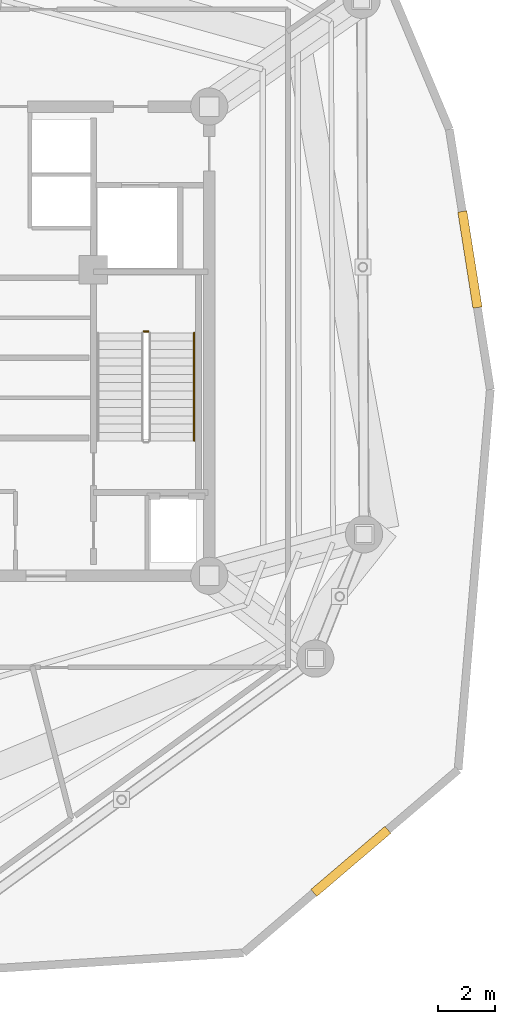
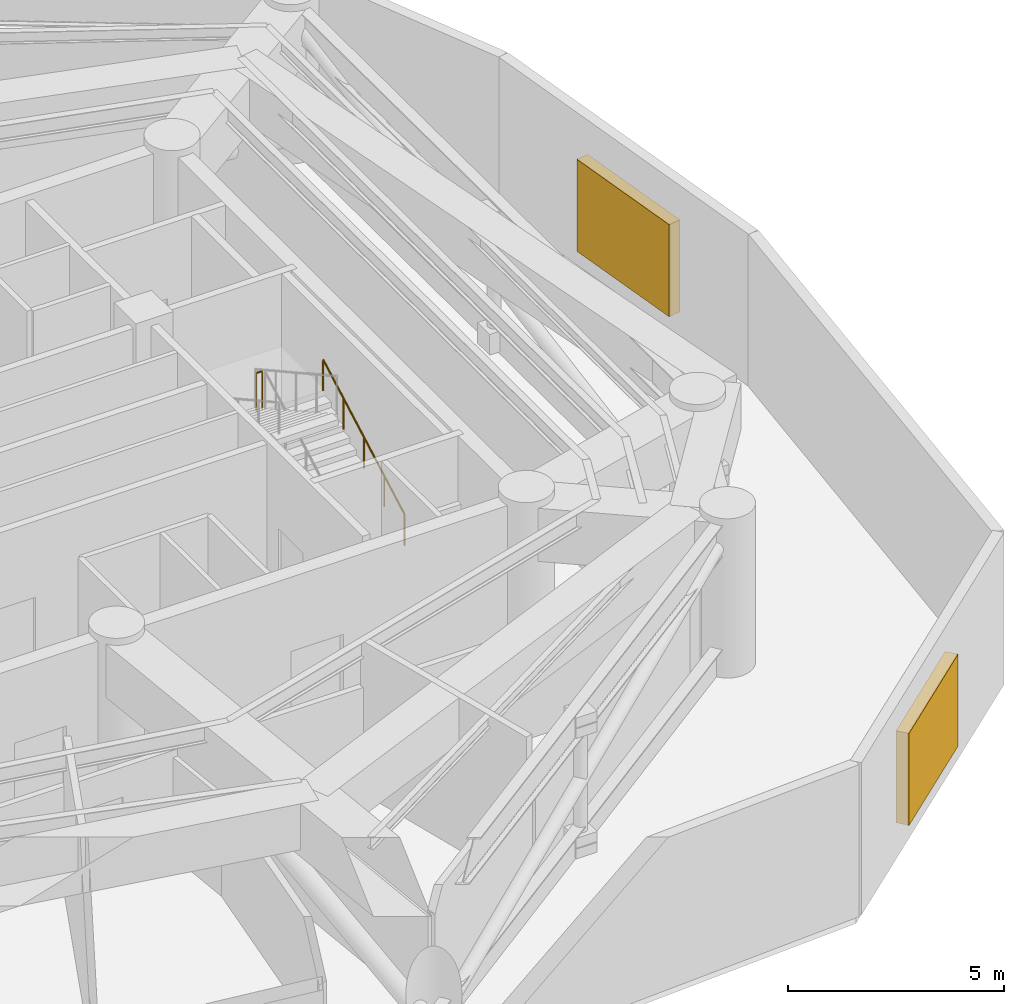
# One storey, part 10 of 11: 2 railings, 2 shading devices.
"""IFC4 building model written with IfcOpenShell, lengths in metres."""

import ifcopenshell
import ifcopenshell.guid

model = None  # the IFC model being written
_history = None  # IfcOwnerHistory: only IFC2X3 demands one
_inside = {}  # id of a spatial element -> (the spatial element, [elements in it])
_under = {}  # id of a project, library or spatial element -> (it, [spatial elements below it])
_declared = {}  # id of a project -> (the project, [libraries it declares])
_typed = {}  # id of a type object -> (the type object, [elements of that type])
_made_of = {}  # id of a material, layer set ... -> (it, [elements and type objects made of it])


def new_model(schema):
    """Start an empty IFC model of exactly this schema.

    Asked for "IFC4X3", IfcOpenShell would pick the latest addendum, in which some entities
    have other attributes; the version numbers below select the first issue.
    IFC2X3 requires an IfcOwnerHistory on every rooted entity: one is made here for all.
    """
    global model, _history
    if schema == "IFC4X3":
        model = ifcopenshell.file(schema_version=(4, 3, 0, 0))
    else:
        model = ifcopenshell.file(schema=schema)
    _inside.clear()
    _under.clear()
    _declared.clear()
    _typed.clear()
    _made_of.clear()
    _history = None
    if model.schema == "IFC2X3":
        org = make("IfcOrganization", Name="unknown")
        user = make(
            "IfcPersonAndOrganization",
            ThePerson=make("IfcPerson", FamilyName="unknown"),
            TheOrganization=org,
        )
        app = make(
            "IfcApplication",
            ApplicationDeveloper=org,
            Version="unknown",
            ApplicationFullName="unknown",
            ApplicationIdentifier="unknown",
        )
        _history = make(
            "IfcOwnerHistory",
            OwningUser=user,
            OwningApplication=app,
            ChangeAction="ADDED",
            CreationDate=0,
        )
    return model


def make(cls, **values):
    """One entity of the class cls with the attributes given. An attribute that is None is left unset."""
    return model.create_entity(
        cls, **{name: value for name, value in values.items() if value is not None}
    )


def rooted(cls, **values):
    """An entity with a GlobalId (a new one), such as an element, a storey or a relation."""
    return make(cls, GlobalId=ifcopenshell.guid.new(), OwnerHistory=_history, **values)


def si_unit(unit_type, name, prefix=None):
    """IfcSIUnit, for example si_unit("LENGTHUNIT", "METRE", prefix="MILLI")."""
    return make("IfcSIUnit", UnitType=unit_type, Prefix=prefix, Name=name)


def assignment(units):
    """IfcUnitAssignment: the units of a project."""
    return None if units is None else make("IfcUnitAssignment", Units=units)


def point(xyz):
    """IfcCartesianPoint."""
    return None if xyz is None else make("IfcCartesianPoint", Coordinates=xyz)


def direction(xyz):
    """IfcDirection."""
    return None if xyz is None else make("IfcDirection", DirectionRatios=xyz)


def frame(location, z_axis=None, x_axis=None):
    """IfcAxis2Placement3D, a coordinate frame: its origin and axes. An axis left out is left unset."""
    return make(
        "IfcAxis2Placement3D",
        Location=point(location),
        Axis=direction(z_axis),
        RefDirection=direction(x_axis),
    )


def frame_2d(location, x_axis=None):
    """IfcAxis2Placement2D, a coordinate frame in the plane: its origin and x axis."""
    return make(
        "IfcAxis2Placement2D", Location=point(location), RefDirection=direction(x_axis)
    )


def origin():
    """The frame at (0, 0, 0) with its axes left unset."""
    return frame((0.0, 0.0, 0.0))


def origin_with_axes():
    """The frame at (0, 0, 0) with the z axis (0, 0, 1) and the x axis (1, 0, 0) written out."""
    return frame((0.0, 0.0, 0.0), z_axis=(0.0, 0.0, 1.0), x_axis=(1.0, 0.0, 0.0))


def origin_2d():
    """The frame at (0, 0) in the plane with its x axis left unset."""
    return frame_2d((0.0, 0.0))


def place(relative_to, where):
    """IfcLocalPlacement: puts the frame where relative to a parent placement (None: the world)."""
    return make(
        "IfcLocalPlacement", PlacementRelTo=relative_to, RelativePlacement=where
    )


def context(
    kind, dimensions, precision=None, world=None, true_north=None, identifier=None
):
    """IfcGeometricRepresentationContext, for example the 3D "Model" context."""
    return make(
        "IfcGeometricRepresentationContext",
        ContextIdentifier=identifier,
        ContextType=kind,
        CoordinateSpaceDimension=dimensions,
        Precision=precision,
        WorldCoordinateSystem=world,
        TrueNorth=true_north,
    )


def subcontext(parent, identifier, kind, view, scale=None):
    """IfcGeometricRepresentationSubContext, for example "Body" below "Model"."""
    return make(
        "IfcGeometricRepresentationSubContext",
        ContextIdentifier=identifier,
        ContextType=kind,
        ParentContext=parent,
        TargetScale=scale,
        TargetView=view,
    )


def project(units=None, contexts=None):
    """IfcProject with its units and contexts."""
    return rooted(
        "IfcProject",
        Name="project",
        RepresentationContexts=contexts,
        UnitsInContext=assignment(units),
    )


def spatial(cls, under=None, at=None, **own):
    """A site, building, storey or space (cls), placed at a placement, below another one or the project."""
    s = rooted(cls, ObjectPlacement=at, **own)
    if under is not None:
        _under.setdefault(under.id(), (under, []))[1].append(s)
    return s


def profile(cls, at=None, kind="AREA", **sizes):
    """A parametric profile (cls). Its sizes go by their IFC names, for example OverallWidth=200.0."""
    return make(cls, ProfileType=kind, Position=at, **sizes)


def rectangle(**sizes):
    """IfcRectangleProfileDef."""
    return profile("IfcRectangleProfileDef", **sizes)


def circle(**sizes):
    """IfcCircleProfileDef."""
    return profile("IfcCircleProfileDef", **sizes)


def extrude(swept, where, along, depth):
    """IfcExtrudedAreaSolid: the profile swept, set in the frame where, extruded along a direction by depth."""
    return make(
        "IfcExtrudedAreaSolid",
        SweptArea=swept,
        Position=where,
        ExtrudedDirection=direction(along),
        Depth=depth,
    )


def shape(context_of_items, identifier, shape_type, items):
    """IfcShapeRepresentation: the items that make up one representation, for example the "Body"."""
    return make(
        "IfcShapeRepresentation",
        ContextOfItems=context_of_items,
        RepresentationIdentifier=identifier,
        RepresentationType=shape_type,
        Items=items,
    )


def source(mapping_origin, context_of_items, identifier, shape_type, items):
    """IfcRepresentationMap: a shape defined once, which mapped items show again and again."""
    return make(
        "IfcRepresentationMap",
        MappingOrigin=mapping_origin,
        MappedRepresentation=shape(context_of_items, identifier, shape_type, items),
    )


def transform(
    local_origin,
    x_axis=None,
    y_axis=None,
    z_axis=None,
    scale=None,
    scale2=None,
    scale3=None,
    uniform=True,
):
    """IfcCartesianTransformationOperator3D, or its non-uniform kind. x_axis, y_axis, z_axis: its Axis1, 2, 3."""
    if uniform:
        return make(
            "IfcCartesianTransformationOperator3D",
            Axis1=direction(x_axis),
            Axis2=direction(y_axis),
            LocalOrigin=point(local_origin),
            Scale=scale,
            Axis3=direction(z_axis),
        )
    return make(
        "IfcCartesianTransformationOperator3DnonUniform",
        Axis1=direction(x_axis),
        Axis2=direction(y_axis),
        LocalOrigin=point(local_origin),
        Scale=scale,
        Axis3=direction(z_axis),
        Scale2=scale2,
        Scale3=scale3,
    )


def mapped(mapping_source, mapping_target):
    """IfcMappedItem: shows the shape of a source again, moved by a transform."""
    return make(
        "IfcMappedItem", MappingSource=mapping_source, MappingTarget=mapping_target
    )


def material(Name=None, Category=None):
    """IfcMaterial."""
    return make("IfcMaterial", Name=Name, Category=Category)


def layer(
    of_material, thickness, ventilated=None, Name=None, Category=None, Priority=None
):
    """IfcMaterialLayer: one layer of a wall or slab, of a material (None: an air gap)."""
    return make(
        "IfcMaterialLayer",
        Material=of_material,
        LayerThickness=thickness,
        IsVentilated=ventilated,
        Name=Name,
        Category=Category,
        Priority=Priority,
    )


def layer_set(layers, Name=None):
    """IfcMaterialLayerSet."""
    return make("IfcMaterialLayerSet", MaterialLayers=layers, LayerSetName=Name)


def made_of(thing, what):
    """Note that an element or type object is made of a material, layer set ...; save() writes the relation."""
    if what is not None:
        _made_of.setdefault(what.id(), (what, []))[1].append(thing)
    return thing


def type_object(cls, material=None, **own):
    """A type object (cls), such as IfcWallType, which elements share."""
    return made_of(rooted(cls, **own), material)


def element(
    cls,
    number,
    at=None,
    inside=None,
    cuts=None,
    type_object=None,
    material=None,
    context=None,
    identifier="Body",
    shape_type=None,
    held_by="IfcProductDefinitionShape",
    body=None,
    shapes=None,
    **own,
):
    """One element of the class cls, such as IfcWall. Its Tag is "e" and its number.

    at: its placement. inside: the storey or other place that contains it. cuts: it is an
    opening in that element (IfcRelVoidsElement). A single representation is given by context,
    identifier, shape_type and body (its items); several are given by shapes. held_by: the class
    of the entity that holds the representations. save() writes the other relations.
    """
    e = rooted(cls, Tag="e%d" % number, ObjectPlacement=at, **own)
    if body is not None:
        shapes = [shape(context, identifier, shape_type, body)]
    if shapes is not None:
        e.Representation = make(held_by, Representations=shapes)
    if inside is not None:
        _inside.setdefault(inside.id(), (inside, []))[1].append(e)
    if cuts is not None:
        rooted(
            "IfcRelVoidsElement", RelatingBuildingElement=cuts, RelatedOpeningElement=e
        )
    if type_object is not None:
        _typed.setdefault(type_object.id(), (type_object, []))[1].append(e)
    return made_of(e, material)


def aggregate(whole, parts):
    """IfcRelAggregates: a whole, such as a stair, and the parts it consists of."""
    return rooted("IfcRelAggregates", RelatingObject=whole, RelatedObjects=parts)


def save(model, path):
    """Write the relations noted so far, then the file.

    IfcRelAggregates (storeys below a building ...), IfcRelContainedInSpatialStructure (elements
    in a storey), IfcRelDefinesByType, IfcRelAssociatesMaterial and IfcRelDeclares: one each for
    every whole, place, type object, material and project.
    """
    for whole, parts in _under.values():
        aggregate(whole, parts)
    for where, things in _inside.values():
        rooted(
            "IfcRelContainedInSpatialStructure",
            RelatedElements=things,
            RelatingStructure=where,
        )
    for kind, things in _typed.values():
        rooted("IfcRelDefinesByType", RelatedObjects=things, RelatingType=kind)
    for what, things in _made_of.values():
        rooted("IfcRelAssociatesMaterial", RelatedObjects=things, RelatingMaterial=what)
    for by, libraries in _declared.values():
        rooted("IfcRelDeclares", RelatingContext=by, RelatedDefinitions=libraries)
    model.write(path)


model = new_model("IFC4")

# Units and contexts
model_context = context("Model", 3, precision=1e-05, world=origin(), true_north=direction((0.0, 1.0)))
body_context = subcontext(model_context, "Body", "Model", "MODEL_VIEW")
ifc_project = project(units=[si_unit("LENGTHUNIT", "METRE"), si_unit("AREAUNIT", "SQUARE_METRE"), si_unit("VOLUMEUNIT", "CUBIC_METRE"), si_unit("PLANEANGLEUNIT", "RADIAN"), si_unit("MASSUNIT", "GRAM", prefix="KILO")], contexts=[model_context])

# Site, building, storey
site_placement = place(None, origin())
site = spatial("IfcSite", under=ifc_project, at=site_placement, CompositionType="ELEMENT")
building_placement = place(site_placement, origin())
building = spatial("IfcBuilding", under=site, at=building_placement, Name="Karkom Vertical University and Central Library", CompositionType="ELEMENT")
storey_placement = place(building_placement, frame((0.0, 0.0, 208.39990234375)))
storey = spatial("IfcBuildingStorey", under=building, at=storey_placement, Name="P61", CompositionType="ELEMENT", Elevation=208.39990234375)

# Railings
ifc_material_1 = material(Name="Painted galvanised steel balustrade", Category="steel")
ifc_layer_1 = layer(ifc_material_1, 0.06005859375)
ifc_layer_set_1 = layer_set([ifc_layer_1], Name="Painted galvanised steel balustrade")
railing_type_1 = type_object("IfcRailingType", Name="INT-RL-GUARD1100", PredefinedType="GUARDRAIL", material=ifc_layer_set_1)
railing_1_placement = place(storey_placement, frame((35.3701171875, 26.840087890625, 2.25)))
element("IfcRailing", 1, at=railing_1_placement, inside=storey, type_object=railing_type_1, Name="Plant Level 61 ST-2 stair guard 2", PredefinedType="GUARDRAIL", context=body_context, shape_type="SweptSolid", body=[
    extrude(circle(Radius=0.02392578125, at=origin_2d()), frame((0.0, 0.0, 1.076171875), z_axis=(-1.0, 0.0, 0.0), x_axis=(0.0, -1.0, 0.0)), (0.0, 0.0, 1.0), 0.16015625),
    extrude(circle(Radius=0.02099609375, at=origin_2d()), origin(), (0.0, 0.0, 1.0), 1.052001953125),
    extrude(circle(Radius=0.02099609375, at=origin_2d()), frame((-0.16015625, 0.0, 0.0)), (0.0, 0.0, 1.0), 1.052001953125),
])
ifc_material_2 = material(Name="Brushed stainless-steel tubular handrail", Category="steel")
ifc_layer_2 = layer(ifc_material_2, 0.048095703125)
ifc_layer_set_2 = layer_set([ifc_layer_2], Name="Brushed stainless-steel tubular handrail")
railing_type_2 = type_object("IfcRailingType", Name="INT-RL-HAND920", PredefinedType="HANDRAIL", material=ifc_layer_set_2)
railing_2_placement = place(storey_placement, frame((36.969970703125, 23.02001953125, 0.160888671875)))
element("IfcRailing", 2, at=railing_2_placement, inside=storey, type_object=railing_type_2, Name="Plant Level 61 ST-2 stair handrail 1", PredefinedType="HANDRAIL", context=body_context, shape_type="SweptSolid", body=[
    extrude(circle(Radius=0.02392578125, at=origin_2d()), frame((0.0, 0.0, 0.8759765625), z_axis=(0.0, 0.874683116247, 0.484695209541), x_axis=(-1.0, 0.0, 0.0)), (0.0, 0.0, 1.0), 4.31005859375),
    extrude(circle(Radius=0.02099609375, at=origin_2d()), origin(), (0.0, 0.0, 1.0), 0.851806640625),
    extrude(circle(Radius=0.02099609375, at=origin_2d()), frame((0.0, 0.9423828125, 0.522216796875)), (0.0, 0.0, 1.0), 0.851806640625),
    extrude(circle(Radius=0.02099609375, at=origin_2d()), frame((0.0, 1.885009765625, 1.04443359375)), (0.0, 0.0, 1.0), 0.851806640625),
    extrude(circle(Radius=0.02099609375, at=origin_2d()), frame((0.0, 2.82763671875, 1.56689453125)), (0.0, 0.0, 1.0), 0.851806640625),
    extrude(circle(Radius=0.02099609375, at=origin_2d()), frame((0.0, 3.77001953125, 2.089111328125)), (0.0, 0.0, 1.0), 0.851806640625),
])

# Shading devices
ifc_material_3 = material(Name="Powder-coated aluminium acoustic weather louvre", Category="aluminium")
ifc_layer_3 = layer(ifc_material_3, 0.159912109375)
ifc_layer_set_3 = layer_set([ifc_layer_3], Name="Powder-coated aluminium acoustic weather louvre")
shading_device_type = type_object("IfcShadingDeviceType", Name="ENV-SHD-LOUVRE", PredefinedType="JALOUSIE", material=ifc_layer_set_3)
shared_shape = source(origin_with_axes(), body_context, "Body", "SweptSolid", [
    extrude(rectangle(XDim=3.39990234375, YDim=0.320068359375, at=origin_2d()), origin(), (0.0, 0.0, 1.0), 2.60009765625),
])
for number, where, z_axis, x_axis, name in (
    (3, (42.447998046875, 8.321044921875, 0.400146484375), (0.0, 0.0, 1.0), (0.760745911553, 0.649049811691, 0.0), "Plant Level 61 Mechanical Acoustic Louvre 05"),
    (4, (46.60791015625, 29.35498046875, 0.400146484375), (0.0, 0.0, 1.0), (-0.155744890433, 0.987797311752, 0.0), "Plant Level 61 Mechanical Acoustic Louvre 07"),
):
    element("IfcShadingDevice", number, at=place(storey_placement, frame(where, z_axis=z_axis, x_axis=x_axis)), inside=storey, type_object=shading_device_type, Name=name, PredefinedType="JALOUSIE", context=body_context, shape_type="MappedRepresentation", body=[
        mapped(shared_shape, transform((0.0, 0.0, 0.0), scale=1.0)),
    ])

save(model, "model.ifc")
